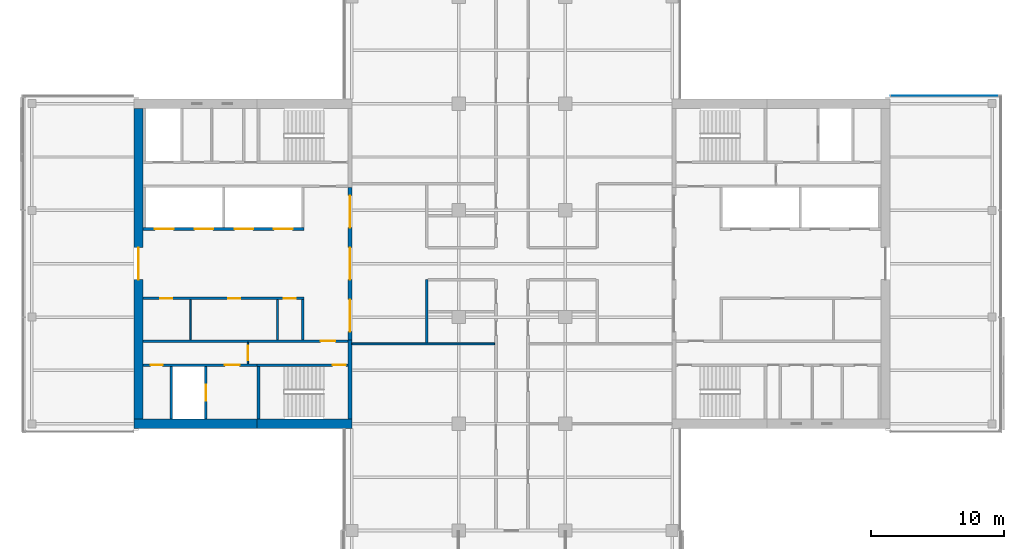
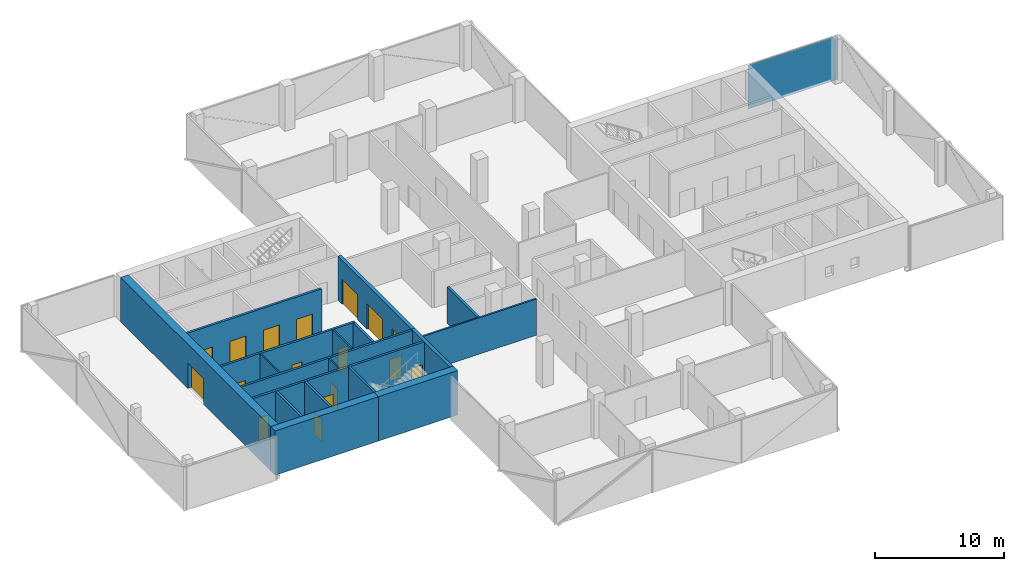
# One storey, part 13 of 22: 19 walls, 17 doors, 1 plate, 17 openings, 1 element without a shape of its own.
"""IFC4 building model written with IfcOpenShell, lengths in metres."""

from ifc_helpers import new_model, si_unit, direction, frame, frame_2d, origin, place, context, subcontext, project, spatial, polyline, rectangle, outline, extrude, material, layer, layer_set, constituent, constituent_set, type_object, element, fill, aggregate, save


model = new_model("IFC4")

# Units and contexts
model_context = context("Model", 3, precision=1e-05, world=origin(), true_north=direction((0.0, 1.0)))
body_context = subcontext(model_context, "Body", "Model", "MODEL_VIEW")
ifc_project = project(units=[si_unit("LENGTHUNIT", "METRE"), si_unit("AREAUNIT", "SQUARE_METRE"), si_unit("VOLUMEUNIT", "CUBIC_METRE"), si_unit("PLANEANGLEUNIT", "RADIAN"), si_unit("MASSUNIT", "GRAM", prefix="KILO")], contexts=[model_context])

# Site, building, storey
site_placement = place(None, origin())
site = spatial("IfcSite", under=ifc_project, at=site_placement, CompositionType="ELEMENT")
building_placement = place(site_placement, origin())
building = spatial("IfcBuilding", under=site, at=building_placement, Name="Crosswind Convention Tower", CompositionType="ELEMENT")
storey_placement = place(building_placement, frame((0.0, 0.0, 116.89990234375)))
storey = spatial("IfcBuildingStorey", under=building, at=storey_placement, Name="L23", CompositionType="ELEMENT", Elevation=116.89990234375)

# Curtain wall, plate
ifc_material_1 = material(Name="Aluminium unitised curtain wall", Category="aluminium")
curtain_wall_type = type_object("IfcCurtainWallType", Name="CORE END SLOT WALL 160", PredefinedType="USERDEFINED", material=ifc_material_1)
curtain_wall_placement = place(storey_placement, origin())
curtain_wall = element("IfcCurtainWall", 1, at=curtain_wall_placement, inside=storey, type_object=curtain_wall_type, Name="CW6 L23 E-N.1-1 slot", ObjectType="UNITISED", PredefinedType="USERDEFINED")
ifc_material_2 = material(Name="Laminated insulating glass unit", Category="glass")
ifc_layer_1 = layer(ifc_material_2, 0.02587890625)
ifc_layer_set_1 = layer_set([ifc_layer_1], Name="TRIANGULAR GLASS PANEL 26")
plate_type = type_object("IfcPlateType", Name="TRIANGULAR GLASS PANEL 26", PredefinedType="CURTAIN_PANEL", material=ifc_layer_set_1)
plate_placement = place(storey_placement, frame((161.449951171875, 112.60693359375, -0.2998046875), z_axis=(0.0, 0.999999915205, 0.00041181312), x_axis=(-1.0, 0.0, 0.0)))
plate = element("IfcPlate", 2, at=plate_placement, type_object=plate_type, Name="CW6 panel 1.1", PredefinedType="CURTAIN_PANEL", context=body_context, shape_type="SweptSolid", body=[
    extrude(outline(polyline([(0.0, 0.0), (8.050048828125, 0.0), (8.050048828125, 4.149902695641108), (0.0, 4.149902695641108), (0.0, 0.0)])), origin(), (0.0, 0.0, -1.0), 0.02587890625),
])
aggregate(curtain_wall, [plate])

# Wall
ifc_material_3 = material(Name="Concrete blockwork", Category="masonry")
ifc_layer_2 = layer(ifc_material_3, 0.199951171875)
ifc_layer_set_2 = layer_set([ifc_layer_2], Name="COMPARTMENT WALL 200 BLOCKWORK")
wall_type_1 = type_object("IfcWallType", Name="COMPARTMENT WALL 200 BLOCKWORK", PredefinedType="SOLIDWALL", material=ifc_layer_set_2)
wall_1_placement = place(storey_placement, frame((118.60009765625, 94.074951171875, 0.0), z_axis=(0.0, 0.0, 1.0), x_axis=(0.0, 1.0, 0.0)))
element("IfcWall", 3, at=wall_1_placement, inside=storey, type_object=wall_type_1, Name="Compartment wall WT42", PredefinedType="SOLIDWALL", context=body_context, shape_type="SweptSolid", body=[
    extrude(rectangle(XDim=4.72509765625, YDim=0.199951171875, at=frame_2d((2.362548828125, 0.0))), origin(), (0.0, 0.0, 1.0), 3.4365234375),
])

# Wall, opening, door
ifc_material_4 = material(Name="Concrete C60/75", Category="concrete")
ifc_layer_3 = layer(ifc_material_4, 0.699951171875)
ifc_layer_set_3 = layer_set([ifc_layer_3], Name="Concrete C60/75")
wall_type_2 = type_object("IfcWallType", Name="Concrete core wall 700", PredefinedType="SHEAR", material=ifc_layer_set_3)
wall_2_placement = place(storey_placement, frame((97.0, 111.64990234375, 0.0), z_axis=(0.0, 0.0, 1.0), x_axis=(0.0, -1.0, 0.0)))
wall_2 = element("IfcWall", 4, at=wall_2_placement, inside=storey, type_object=wall_type_2, Name="Wall O W L23", PredefinedType="SHEAR", context=body_context, shape_type="SweptSolid", body=[
    extrude(rectangle(XDim=23.2998046875, YDim=0.699951171875, at=frame_2d((11.64990234375, 0.0))), origin(), (0.0, 0.0, 1.0), 4.2001953125),
])
opening_1_placement = place(wall_2_placement, frame((10.449951171875, 0.0, 0.0)))
opening_1 = element("IfcOpeningElement", 5, at=opening_1_placement, cuts=wall_2, Name="Opening D100", PredefinedType="OPENING", context=body_context, shape_type="SweptSolid", body=[
    extrude(rectangle(XDim=2.39990234375, YDim=2.39990234375, at=frame_2d((1.199951171875, 1.199951171875))), frame((0.0, 0.35986328125, 0.0), z_axis=(0.0, -1.0, 0.0), x_axis=(1.0, 0.0, 0.0)), (0.0, 0.0, 1.0), 0.719970703125),
])
ifc_material_5 = material(Name="Steel fire door with glazed vision panels", Category="steel")
door_type_1 = type_object("IfcDoorType", Name="Fire-rated double door 2400x2400", OperationType="DOUBLE_DOOR_SINGLE_SWING", PredefinedType="DOOR", material=ifc_material_5)
door_1_placement = place(opening_1_placement, frame((2.39990234375, 0.0, 0.0), z_axis=(0.0, 0.0, 1.0), x_axis=(-1.0, 0.0, 0.0)))
door_1 = element("IfcDoor", 6, at=door_1_placement, inside=storey, type_object=door_type_1, Name="Lobby outer door L23", ObjectType="D100", OperationType="DOUBLE_DOOR_SINGLE_SWING", OverallHeight=2.39990234375, OverallWidth=2.39990234375, PredefinedType="DOOR", context=body_context, shape_type="SweptSolid", body=[
    extrude(rectangle(XDim=2.39990234375, YDim=2.39990234375, at=frame_2d((1.199951171875, 1.199951171875))), frame((0.0, 0.02490234375, 0.0), z_axis=(0.0, -1.0, 0.0), x_axis=(1.0, 0.0, 0.0)), (0.0, 0.0, 1.0), 0.050048828125),
])
fill(opening_1, door_1)

# Wall, openings, doors
ifc_material_6 = material(Name="Concrete C50/60", Category="concrete")
ifc_layer_4 = layer(ifc_material_6, 0.300048828125)
ifc_layer_set_4 = layer_set([ifc_layer_4], Name="Concrete C50/60")
wall_type_3 = type_object("IfcWallType", Name="Concrete inner core wall 300", PredefinedType="SHEAR", material=ifc_layer_set_4)
wall_3_placement = place(storey_placement, frame((112.85009765625, 105.699951171875, 0.0), z_axis=(0.0, 0.0, 1.0), x_axis=(0.0, -1.0, 0.0)))
wall_3 = element("IfcWall", 7, at=wall_3_placement, inside=storey, type_object=wall_type_3, Name="Wall SCR W L23", PredefinedType="SHEAR", context=body_context, shape_type="SweptSolid", body=[
    extrude(rectangle(XDim=11.39990234375, YDim=0.300048828125, at=frame_2d((5.699951171875, 0.0))), origin(), (0.0, 0.0, 1.0), 4.2001953125),
])
opening_2_placement = place(wall_3_placement, frame((0.60009765625, 0.0, 0.0)))
opening_2 = element("IfcOpeningElement", 8, at=opening_2_placement, cuts=wall_3, Name="Opening D100", PredefinedType="OPENING", context=body_context, shape_type="SweptSolid", body=[
    extrude(rectangle(XDim=2.39990234375, YDim=2.39990234375, at=frame_2d((1.199951171875, 1.199951171875))), frame((0.0, 0.159912109375, 0.0), z_axis=(0.0, -1.0, 0.0), x_axis=(1.0, 0.0, 0.0)), (0.0, 0.0, 1.0), 0.320068359375),
])
opening_3_placement = place(wall_3_placement, frame((4.5, 0.0, 0.0)))
opening_3 = element("IfcOpeningElement", 9, at=opening_3_placement, cuts=wall_3, Name="Opening D100", PredefinedType="OPENING", context=body_context, shape_type="SweptSolid", body=[
    extrude(rectangle(XDim=2.39990234375, YDim=2.39990234375, at=frame_2d((1.199951171875, 1.199951171875))), frame((0.0, 0.159912109375, 0.0), z_axis=(0.0, -1.0, 0.0), x_axis=(1.0, 0.0, 0.0)), (0.0, 0.0, 1.0), 0.320068359375),
])
opening_4_placement = place(wall_3_placement, frame((8.39990234375, 0.0, 0.0)))
opening_4 = element("IfcOpeningElement", 10, at=opening_4_placement, cuts=wall_3, Name="Opening D100", PredefinedType="OPENING", context=body_context, shape_type="SweptSolid", body=[
    extrude(rectangle(XDim=2.39990234375, YDim=2.39990234375, at=frame_2d((1.199951171875, 1.199951171875))), frame((0.0, 0.159912109375, 0.0), z_axis=(0.0, -1.0, 0.0), x_axis=(1.0, 0.0, 0.0)), (0.0, 0.0, 1.0), 0.320068359375),
])
door_2_placement = place(opening_2_placement, origin())
door_2 = element("IfcDoor", 11, at=door_2_placement, inside=storey, type_object=door_type_1, Name="Lobby door 1 L23", ObjectType="D100", OperationType="DOUBLE_DOOR_SINGLE_SWING", OverallHeight=2.39990234375, OverallWidth=2.39990234375, PredefinedType="DOOR", context=body_context, shape_type="SweptSolid", body=[
    extrude(rectangle(XDim=2.39990234375, YDim=2.39990234375, at=frame_2d((1.199951171875, 1.199951171875))), frame((0.0, 0.02490234375, 0.0), z_axis=(0.0, -1.0, 0.0), x_axis=(1.0, 0.0, 0.0)), (0.0, 0.0, 1.0), 0.050048828125),
])
fill(opening_2, door_2)
door_3_placement = place(opening_3_placement, origin())
door_3 = element("IfcDoor", 12, at=door_3_placement, inside=storey, type_object=door_type_1, Name="Lobby door 2 L23", ObjectType="D100", OperationType="DOUBLE_DOOR_SINGLE_SWING", OverallHeight=2.39990234375, OverallWidth=2.39990234375, PredefinedType="DOOR", context=body_context, shape_type="SweptSolid", body=[
    extrude(rectangle(XDim=2.39990234375, YDim=2.39990234375, at=frame_2d((1.199951171875, 1.199951171875))), frame((0.0, 0.02490234375, 0.0), z_axis=(0.0, -1.0, 0.0), x_axis=(1.0, 0.0, 0.0)), (0.0, 0.0, 1.0), 0.050048828125),
])
fill(opening_3, door_3)
door_4_placement = place(opening_4_placement, origin())
door_4 = element("IfcDoor", 13, at=door_4_placement, inside=storey, type_object=door_type_1, Name="Lobby door 3 L23", ObjectType="D100", OperationType="DOUBLE_DOOR_SINGLE_SWING", OverallHeight=2.39990234375, OverallWidth=2.39990234375, PredefinedType="DOOR", context=body_context, shape_type="SweptSolid", body=[
    extrude(rectangle(XDim=2.39990234375, YDim=2.39990234375, at=frame_2d((1.199951171875, 1.199951171875))), frame((0.0, 0.02490234375, 0.0), z_axis=(0.0, -1.0, 0.0), x_axis=(1.0, 0.0, 0.0)), (0.0, 0.0, 1.0), 0.050048828125),
])
fill(opening_4, door_4)

# Walls
wall_4_placement = place(storey_placement, frame((112.85009765625, 94.300048828125, 0.0), z_axis=(0.0, 0.0, 1.0), x_axis=(0.0, -1.0, 0.0)))
element("IfcWall", 14, at=wall_4_placement, inside=storey, type_object=wall_type_3, Name="Wall EP W L23", PredefinedType="SHEAR", context=body_context, shape_type="SweptSolid", body=[
    extrude(rectangle(XDim=5.949951171875, YDim=0.300048828125, at=frame_2d((2.97509765625, 0.0))), origin(), (0.0, 0.0, 1.0), 4.2001953125),
])
ifc_layer_5 = layer(ifc_material_6, 0.199951171875)
ifc_layer_set_5 = layer_set([ifc_layer_5], Name="Concrete C50/60")
wall_type_4 = type_object("IfcWallType", Name="Concrete shaft and stair wall 200", PredefinedType="SHEAR", material=ifc_layer_set_5)
wall_5_placement = place(storey_placement, frame((109.300048828125, 97.300048828125, 0.0), z_axis=(0.0, 0.0, 1.0), x_axis=(0.0, -1.0, 0.0)))
element("IfcWall", 15, at=wall_5_placement, inside=storey, type_object=wall_type_4, Name="Wall RPEND W L23", PredefinedType="SHEAR", context=body_context, shape_type="SweptSolid", body=[
    extrude(rectangle(XDim=3.0, YDim=0.199951171875, at=frame_2d((1.5, 0.0))), origin(), (0.0, 0.0, 1.0), 4.2001953125),
])

# Wall, openings, doors
wall_6_placement = place(storey_placement, frame((109.39990234375, 97.39990234375, 0.0), z_axis=(0.0, 0.0, 1.0), x_axis=(-1.0, 0.0, 0.0)))
wall_6 = element("IfcWall", 16, at=wall_6_placement, inside=storey, type_object=wall_type_4, Name="Wall RPFRONT W L23", PredefinedType="SHEAR", context=body_context, shape_type="SweptSolid", body=[
    extrude(rectangle(XDim=12.0498046875, YDim=0.199951171875, at=frame_2d((6.02490234375, 0.0))), origin(), (0.0, 0.0, 1.0), 4.2001953125),
])
opening_5_placement = place(wall_6_placement, frame((0.607421875, 0.0, 0.0)))
opening_5 = element("IfcOpeningElement", 17, at=opening_5_placement, cuts=wall_6, Name="Opening D106", PredefinedType="OPENING", context=body_context, shape_type="SweptSolid", body=[
    extrude(rectangle(XDim=0.89990234375, YDim=2.10009765625, at=frame_2d((0.449951171875, 1.050048828125))), frame((0.0, 0.10986328125, 0.0), z_axis=(0.0, -1.0, 0.0), x_axis=(1.0, 0.0, 0.0)), (0.0, 0.0, 1.0), 0.219970703125),
])
opening_6_placement = place(wall_6_placement, frame((4.7861328125, 0.0, 0.0)))
opening_6 = element("IfcOpeningElement", 18, at=opening_6_placement, cuts=wall_6, Name="Opening D106", PredefinedType="OPENING", context=body_context, shape_type="SweptSolid", body=[
    extrude(rectangle(XDim=0.89990234375, YDim=2.10009765625, at=frame_2d((0.449951171875, 1.050048828125))), frame((0.0, 0.10986328125, 0.0), z_axis=(0.0, -1.0, 0.0), x_axis=(1.0, 0.0, 0.0)), (0.0, 0.0, 1.0), 0.219970703125),
])
opening_7_placement = place(wall_6_placement, frame((9.853759765625, 0.0, 0.0)))
opening_7 = element("IfcOpeningElement", 19, at=opening_7_placement, cuts=wall_6, Name="Opening D106", PredefinedType="OPENING", context=body_context, shape_type="SweptSolid", body=[
    extrude(rectangle(XDim=0.89990234375, YDim=2.10009765625, at=frame_2d((0.449951171875, 1.050048828125))), frame((0.0, 0.10986328125, 0.0), z_axis=(0.0, -1.0, 0.0), x_axis=(1.0, 0.0, 0.0)), (0.0, 0.0, 1.0), 0.219970703125),
])
ifc_material_7 = material(Name="Timber door", Category="wood")
door_type_2 = type_object("IfcDoorType", Name="Single leaf door 900x2100", OperationType="NOTDEFINED", PredefinedType="DOOR", material=ifc_material_7)
door_5_placement = place(opening_5_placement, origin())
door_5 = element("IfcDoor", 20, at=door_5_placement, inside=storey, type_object=door_type_2, Name="Door to telecoms room L23", ObjectType="D106", OperationType="SINGLE_SWING_RIGHT", OverallHeight=2.10009765625, OverallWidth=0.89990234375, PredefinedType="DOOR", context=body_context, shape_type="SweptSolid", body=[
    extrude(rectangle(XDim=0.89990234375, YDim=2.10009765625, at=frame_2d((0.449951171875, 1.050048828125))), frame((0.0, 0.02490234375, 0.0), z_axis=(0.0, -1.0, 0.0), x_axis=(1.0, 0.0, 0.0)), (0.0, 0.0, 1.0), 0.050048828125),
])
fill(opening_5, door_5)
door_6_placement = place(opening_6_placement, origin())
door_6 = element("IfcDoor", 21, at=door_6_placement, inside=storey, type_object=door_type_2, Name="Door to storeroom L23", ObjectType="D106", OperationType="SINGLE_SWING_RIGHT", OverallHeight=2.10009765625, OverallWidth=0.89990234375, PredefinedType="DOOR", context=body_context, shape_type="SweptSolid", body=[
    extrude(rectangle(XDim=0.89990234375, YDim=2.10009765625, at=frame_2d((0.449951171875, 1.050048828125))), frame((0.0, 0.02490234375, 0.0), z_axis=(0.0, -1.0, 0.0), x_axis=(1.0, 0.0, 0.0)), (0.0, 0.0, 1.0), 0.050048828125),
])
fill(opening_6, door_6)
door_7_placement = place(opening_7_placement, origin())
door_7 = element("IfcDoor", 22, at=door_7_placement, inside=storey, type_object=door_type_2, Name="Door to tenant services room L23", ObjectType="D106", OperationType="SINGLE_SWING_RIGHT", OverallHeight=2.10009765625, OverallWidth=0.89990234375, PredefinedType="DOOR", context=body_context, shape_type="SweptSolid", body=[
    extrude(rectangle(XDim=0.89990234375, YDim=2.10009765625, at=frame_2d((0.449951171875, 1.050048828125))), frame((0.0, 0.02490234375, 0.0), z_axis=(0.0, -1.0, 0.0), x_axis=(1.0, 0.0, 0.0)), (0.0, 0.0, 1.0), 0.050048828125),
])
fill(opening_7, door_7)

wall_7_placement = place(storey_placement, frame((109.39990234375, 102.60009765625, 0.0), z_axis=(0.0, 0.0, 1.0), x_axis=(-1.0, 0.0, 0.0)))
wall_7 = element("IfcWall", 23, at=wall_7_placement, inside=storey, type_object=wall_type_4, Name="Wall RMFRONT W L23", PredefinedType="SHEAR", context=body_context, shape_type="SweptSolid", body=[
    extrude(rectangle(XDim=12.0498046875, YDim=0.199951171875, at=frame_2d((6.02490234375, 0.0))), origin(), (0.0, 0.0, 1.0), 4.2001953125),
])
opening_8_placement = place(wall_7_placement, frame((0.85009765625, 0.0, 0.0)))
opening_8 = element("IfcOpeningElement", 24, at=opening_8_placement, cuts=wall_7, Name="Opening LD2", PredefinedType="OPENING", context=body_context, shape_type="SweptSolid", body=[
    extrude(rectangle(XDim=1.39990234375, YDim=2.10009765625, at=frame_2d((0.699951171875, 1.050048828125))), frame((0.0, 0.10986328125, 0.0), z_axis=(0.0, -1.0, 0.0), x_axis=(1.0, 0.0, 0.0)), (0.0, 0.0, 1.0), 0.219970703125),
])
opening_9_placement = place(wall_7_placement, frame((3.800048828125, 0.0, 0.0)))
opening_9 = element("IfcOpeningElement", 25, at=opening_9_placement, cuts=wall_7, Name="Opening LD2", PredefinedType="OPENING", context=body_context, shape_type="SweptSolid", body=[
    extrude(rectangle(XDim=1.39990234375, YDim=2.10009765625, at=frame_2d((0.699951171875, 1.050048828125))), frame((0.0, 0.10986328125, 0.0), z_axis=(0.0, -1.0, 0.0), x_axis=(1.0, 0.0, 0.0)), (0.0, 0.0, 1.0), 0.219970703125),
])
opening_10_placement = place(wall_7_placement, frame((6.800048828125, 0.0, 0.0)))
opening_10 = element("IfcOpeningElement", 26, at=opening_10_placement, cuts=wall_7, Name="Opening LD2", PredefinedType="OPENING", context=body_context, shape_type="SweptSolid", body=[
    extrude(rectangle(XDim=1.39990234375, YDim=2.10009765625, at=frame_2d((0.699951171875, 1.050048828125))), frame((0.0, 0.10986328125, 0.0), z_axis=(0.0, -1.0, 0.0), x_axis=(1.0, 0.0, 0.0)), (0.0, 0.0, 1.0), 0.219970703125),
])
opening_11_placement = place(wall_7_placement, frame((9.77490234375, 0.0, 0.0)))
opening_11 = element("IfcOpeningElement", 27, at=opening_11_placement, cuts=wall_7, Name="Opening LD2", PredefinedType="OPENING", context=body_context, shape_type="SweptSolid", body=[
    extrude(rectangle(XDim=1.39990234375, YDim=2.10009765625, at=frame_2d((0.699951171875, 1.050048828125))), frame((0.0, 0.10986328125, 0.0), z_axis=(0.0, -1.0, 0.0), x_axis=(1.0, 0.0, 0.0)), (0.0, 0.0, 1.0), 0.219970703125),
])
ifc_material_8 = material(Name="Stainless steel", Category="steel")
door_type_3 = type_object("IfcDoorType", Name="Lift landing door 1400x2100", OperationType="DOUBLE_DOOR_SLIDING", PredefinedType="DOOR", material=ifc_material_8)
door_8_placement = place(opening_8_placement, origin())
door_8 = element("IfcDoor", 28, at=door_8_placement, inside=storey, type_object=door_type_3, Name="Landing door A5 L23", ObjectType="LD2", OperationType="DOUBLE_DOOR_SLIDING", OverallHeight=2.10009765625, OverallWidth=1.39990234375, PredefinedType="DOOR", context=body_context, shape_type="SweptSolid", body=[
    extrude(rectangle(XDim=1.39990234375, YDim=2.10009765625, at=frame_2d((0.699951171875, 1.050048828125))), frame((0.0, 0.02490234375, 0.0), z_axis=(0.0, -1.0, 0.0), x_axis=(1.0, 0.0, 0.0)), (0.0, 0.0, 1.0), 0.050048828125),
])
fill(opening_8, door_8)
door_9_placement = place(opening_9_placement, origin())
door_9 = element("IfcDoor", 29, at=door_9_placement, inside=storey, type_object=door_type_3, Name="Landing door A6 L23", ObjectType="LD2", OperationType="DOUBLE_DOOR_SLIDING", OverallHeight=2.10009765625, OverallWidth=1.39990234375, PredefinedType="DOOR", context=body_context, shape_type="SweptSolid", body=[
    extrude(rectangle(XDim=1.39990234375, YDim=2.10009765625, at=frame_2d((0.699951171875, 1.050048828125))), frame((0.0, 0.02490234375, 0.0), z_axis=(0.0, -1.0, 0.0), x_axis=(1.0, 0.0, 0.0)), (0.0, 0.0, 1.0), 0.050048828125),
])
fill(opening_9, door_9)
door_10_placement = place(opening_10_placement, origin())
door_10 = element("IfcDoor", 30, at=door_10_placement, inside=storey, type_object=door_type_3, Name="Landing door A7 L23", ObjectType="LD2", OperationType="DOUBLE_DOOR_SLIDING", OverallHeight=2.10009765625, OverallWidth=1.39990234375, PredefinedType="DOOR", context=body_context, shape_type="SweptSolid", body=[
    extrude(rectangle(XDim=1.39990234375, YDim=2.10009765625, at=frame_2d((0.699951171875, 1.050048828125))), frame((0.0, 0.02490234375, 0.0), z_axis=(0.0, -1.0, 0.0), x_axis=(1.0, 0.0, 0.0)), (0.0, 0.0, 1.0), 0.050048828125),
])
fill(opening_10, door_10)
door_11_placement = place(opening_11_placement, origin())
door_11 = element("IfcDoor", 31, at=door_11_placement, inside=storey, type_object=door_type_3, Name="Landing door A8 L23", ObjectType="LD2", OperationType="DOUBLE_DOOR_SLIDING", OverallHeight=2.10009765625, OverallWidth=1.39990234375, PredefinedType="DOOR", context=body_context, shape_type="SweptSolid", body=[
    extrude(rectangle(XDim=1.39990234375, YDim=2.10009765625, at=frame_2d((0.699951171875, 1.050048828125))), frame((0.0, 0.02490234375, 0.0), z_axis=(0.0, -1.0, 0.0), x_axis=(1.0, 0.0, 0.0)), (0.0, 0.0, 1.0), 0.050048828125),
])
fill(opening_11, door_11)

# Wall, opening, door
wall_8_placement = place(storey_placement, frame((112.699951171875, 94.199951171875, 0.0), z_axis=(0.0, 0.0, 1.0), x_axis=(-1.0, 0.0, 0.0)))
wall_8 = element("IfcWall", 32, at=wall_8_placement, inside=storey, type_object=wall_type_4, Name="Wall HP W L23", PredefinedType="SHEAR", context=body_context, shape_type="SweptSolid", body=[
    extrude(rectangle(XDim=15.349853515625, YDim=0.199951171875, at=frame_2d((7.6748046875, 0.0))), origin(), (0.0, 0.0, 1.0), 4.2001953125),
])
opening_12_placement = place(wall_8_placement, frame((0.949951171875, 0.0, 0.0)))
opening_12 = element("IfcOpeningElement", 33, at=opening_12_placement, cuts=wall_8, Name="Opening D104", PredefinedType="OPENING", context=body_context, shape_type="SweptSolid", body=[
    extrude(rectangle(XDim=1.10009765625, YDim=2.10009765625, at=frame_2d((0.550048828125, 1.050048828125))), frame((0.0, 0.10986328125, 0.0), z_axis=(0.0, -1.0, 0.0), x_axis=(1.0, 0.0, 0.0)), (0.0, 0.0, 1.0), 0.219970703125),
])
ifc_material_9 = material(Name="Steel fire door", Category="steel")
door_type_4 = type_object("IfcDoorType", Name="Fire-rated single door 1100x2100", OperationType="NOTDEFINED", PredefinedType="DOOR", material=ifc_material_9)
door_12_placement = place(opening_12_placement, origin())
door_12 = element("IfcDoor", 34, at=door_12_placement, inside=storey, type_object=door_type_4, Name="Corridor door L23", ObjectType="D104", OperationType="SINGLE_SWING_LEFT", OverallHeight=2.10009765625, OverallWidth=1.10009765625, PredefinedType="DOOR", context=body_context, shape_type="SweptSolid", body=[
    extrude(rectangle(XDim=1.10009765625, YDim=2.10009765625, at=frame_2d((0.550048828125, 1.050048828125))), frame((0.0, 0.02490234375, 0.0), z_axis=(0.0, -1.0, 0.0), x_axis=(1.0, 0.0, 0.0)), (0.0, 0.0, 1.0), 0.050048828125),
])
fill(opening_12, door_12)

# Wall
wall_9_placement = place(storey_placement, frame((106.0, 92.300048828125, 0.0), z_axis=(0.0, 0.0, 1.0), x_axis=(0.0, -1.0, 0.0)))
element("IfcWall", 35, at=wall_9_placement, inside=storey, type_object=wall_type_4, Name="Wall PSE W L23", PredefinedType="SHEAR", context=body_context, shape_type="SweptSolid", body=[
    extrude(rectangle(XDim=3.949951171875, YDim=0.199951171875, at=frame_2d((1.97509765625, 0.0))), origin(), (0.0, 0.0, 1.0), 4.2001953125),
])

# Wall, opening, door
wall_10_placement = place(storey_placement, frame((102.050048828125, 92.300048828125, 0.0), z_axis=(0.0, 0.0, 1.0), x_axis=(0.0, -1.0, 0.0)))
wall_10 = element("IfcWall", 36, at=wall_10_placement, inside=storey, type_object=wall_type_4, Name="Wall PFLW W L23", PredefinedType="SHEAR", context=body_context, shape_type="SweptSolid", body=[
    extrude(rectangle(XDim=3.949951171875, YDim=0.199951171875, at=frame_2d((1.97509765625, 0.0))), origin(), (0.0, 0.0, 1.0), 4.2001953125),
])
opening_13_placement = place(wall_10_placement, frame((1.375, 0.0, 0.0)))
opening_13 = element("IfcOpeningElement", 37, at=opening_13_placement, cuts=wall_10, Name="Opening LD1", PredefinedType="OPENING", context=body_context, shape_type="SweptSolid", body=[
    extrude(rectangle(XDim=1.199951171875, YDim=2.10009765625, at=frame_2d((0.60009765625, 1.050048828125))), frame((0.0, 0.10986328125, 0.0), z_axis=(0.0, -1.0, 0.0), x_axis=(1.0, 0.0, 0.0)), (0.0, 0.0, 1.0), 0.219970703125),
])
door_type_5 = type_object("IfcDoorType", Name="Lift landing door 1200x2100", OperationType="DOUBLE_DOOR_SLIDING", PredefinedType="DOOR", material=ifc_material_8)
door_13_placement = place(opening_13_placement, origin())
door_13 = element("IfcDoor", 38, at=door_13_placement, inside=storey, type_object=door_type_5, Name="Landing door FF2 L23", ObjectType="LD1", OperationType="DOUBLE_DOOR_SLIDING", OverallHeight=2.10009765625, OverallWidth=1.199951171875, PredefinedType="DOOR", context=body_context, shape_type="SweptSolid", body=[
    extrude(rectangle(XDim=1.199951171875, YDim=2.10009765625, at=frame_2d((0.60009765625, 1.050048828125))), frame((0.0, 0.02490234375, 0.0), z_axis=(0.0, -1.0, 0.0), x_axis=(1.0, 0.0, 0.0)), (0.0, 0.0, 1.0), 0.050048828125),
])
fill(opening_13, door_13)

# Wall
wall_11_placement = place(storey_placement, frame((99.449951171875, 92.300048828125, 0.0), z_axis=(0.0, 0.0, 1.0), x_axis=(0.0, -1.0, 0.0)))
element("IfcWall", 39, at=wall_11_placement, inside=storey, type_object=wall_type_4, Name="Wall PFSE W L23", PredefinedType="SHEAR", context=body_context, shape_type="SweptSolid", body=[
    extrude(rectangle(XDim=3.949951171875, YDim=0.199951171875, at=frame_2d((1.97509765625, 0.0))), origin(), (0.0, 0.0, 1.0), 4.2001953125),
])

# Wall, opening, door
wall_12_placement = place(storey_placement, frame((112.699951171875, 92.39990234375, 0.0), z_axis=(0.0, 0.0, 1.0), x_axis=(-1.0, 0.0, 0.0)))
wall_12 = element("IfcWall", 40, at=wall_12_placement, inside=storey, type_object=wall_type_4, Name="Wall PCW W L23", PredefinedType="SHEAR", context=body_context, shape_type="SweptSolid", body=[
    extrude(rectangle(XDim=6.800048828125, YDim=0.199951171875, at=frame_2d((3.39990234375, 0.0))), origin(), (0.0, 0.0, 1.0), 4.2001953125),
])
opening_14_placement = place(wall_12_placement, frame((0.14990234375, 0.0, 0.0)))
opening_14 = element("IfcOpeningElement", 41, at=opening_14_placement, cuts=wall_12, Name="Opening D103", PredefinedType="OPENING", context=body_context, shape_type="SweptSolid", body=[
    extrude(rectangle(XDim=1.0, YDim=2.10009765625, at=frame_2d((0.5, 1.050048828125))), frame((0.0, 0.10986328125, 0.0), z_axis=(0.0, -1.0, 0.0), x_axis=(1.0, 0.0, 0.0)), (0.0, 0.0, 1.0), 0.219970703125),
])
door_type_6 = type_object("IfcDoorType", Name="Fire-rated single door 1000x2100", OperationType="NOTDEFINED", PredefinedType="DOOR", material=ifc_material_9)
door_14_placement = place(opening_14_placement, origin())
door_14 = element("IfcDoor", 42, at=door_14_placement, inside=storey, type_object=door_type_6, Name="Stair ST3 door L23", ObjectType="D103", OperationType="SINGLE_SWING_LEFT", OverallHeight=2.10009765625, OverallWidth=1.0, PredefinedType="DOOR", context=body_context, shape_type="SweptSolid", body=[
    extrude(rectangle(XDim=1.0, YDim=2.10009765625, at=frame_2d((0.5, 1.050048828125))), frame((0.0, 0.02490234375, 0.0), z_axis=(0.0, -1.0, 0.0), x_axis=(1.0, 0.0, 0.0)), (0.0, 0.0, 1.0), 0.050048828125),
])
fill(opening_14, door_14)

# Wall, openings, doors
wall_13_placement = place(storey_placement, frame((105.89990234375, 92.39990234375, 0.0), z_axis=(0.0, 0.0, 1.0), x_axis=(-1.0, 0.0, 0.0)))
wall_13 = element("IfcWall", 43, at=wall_13_placement, inside=storey, type_object=wall_type_4, Name="Wall PCX W L23", PredefinedType="SHEAR", context=body_context, shape_type="SweptSolid", body=[
    extrude(rectangle(XDim=8.5498046875, YDim=0.199951171875, at=frame_2d((4.27490234375, 0.0))), origin(), (0.0, 0.0, 1.0), 4.2001953125),
])
opening_15_placement = place(wall_13_placement, frame((1.324951171875, 0.0, 0.0)))
opening_15 = element("IfcOpeningElement", 44, at=opening_15_placement, cuts=wall_13, Name="Opening D104", PredefinedType="OPENING", context=body_context, shape_type="SweptSolid", body=[
    extrude(rectangle(XDim=1.10009765625, YDim=2.10009765625, at=frame_2d((0.550048828125, 1.050048828125))), frame((0.0, 0.10986328125, 0.0), z_axis=(0.0, -1.0, 0.0), x_axis=(1.0, 0.0, 0.0)), (0.0, 0.0, 1.0), 0.219970703125),
])
opening_16_placement = place(wall_13_placement, frame((7.10009765625, 0.0, 0.0)))
opening_16 = element("IfcOpeningElement", 45, at=opening_16_placement, cuts=wall_13, Name="Opening D106", PredefinedType="OPENING", context=body_context, shape_type="SweptSolid", body=[
    extrude(rectangle(XDim=0.89990234375, YDim=2.10009765625, at=frame_2d((0.449951171875, 1.050048828125))), frame((0.0, 0.10986328125, 0.0), z_axis=(0.0, -1.0, 0.0), x_axis=(1.0, 0.0, 0.0)), (0.0, 0.0, 1.0), 0.219970703125),
])
door_15_placement = place(opening_15_placement, origin())
door_15 = element("IfcDoor", 46, at=door_15_placement, inside=storey, type_object=door_type_4, Name="Fire-fighting lobby FF2 door L23", ObjectType="D104", OperationType="SINGLE_SWING_RIGHT", OverallHeight=2.10009765625, OverallWidth=1.10009765625, PredefinedType="DOOR", context=body_context, shape_type="SweptSolid", body=[
    extrude(rectangle(XDim=1.10009765625, YDim=2.10009765625, at=frame_2d((0.550048828125, 1.050048828125))), frame((0.0, 0.02490234375, 0.0), z_axis=(0.0, -1.0, 0.0), x_axis=(1.0, 0.0, 0.0)), (0.0, 0.0, 1.0), 0.050048828125),
])
fill(opening_15, door_15)
door_16_placement = place(opening_16_placement, origin())
door_16 = element("IfcDoor", 47, at=door_16_placement, inside=storey, type_object=door_type_2, Name="Door to electrical room L23", ObjectType="D106", OperationType="SINGLE_SWING_RIGHT", OverallHeight=2.10009765625, OverallWidth=0.89990234375, PredefinedType="DOOR", context=body_context, shape_type="SweptSolid", body=[
    extrude(rectangle(XDim=0.89990234375, YDim=2.10009765625, at=frame_2d((0.449951171875, 1.050048828125))), frame((0.0, 0.02490234375, 0.0), z_axis=(0.0, -1.0, 0.0), x_axis=(1.0, 0.0, 0.0)), (0.0, 0.0, 1.0), 0.050048828125),
])
fill(opening_16, door_16)

# Walls
ifc_material_10 = material(Name="Gypsum plasterboard partition", Category="gypsum")
ifc_layer_6 = layer(ifc_material_10, 0.125)
ifc_layer_set_6 = layer_set([ifc_layer_6], Name="Drywall partition wall 125")
wall_type_5 = type_object("IfcWallType", Name="Drywall partition wall 125", PredefinedType="PARTITIONING", material=ifc_layer_set_6)
for number, where, z_axis, x_axis, name in (
    (48, (107.422607421875, 97.300048828125, 0.0), (0.0, 0.0, 1.0), (0.0, -1.0, 0.0), "Wall RPP1 W L23"),
    (49, (100.905029296875, 97.300048828125, 0.0), (0.0, 0.0, 1.0), (0.0, -1.0, 0.0), "Wall RPP2 W L23"),
):
    element("IfcWall", number, at=place(storey_placement, frame(where, z_axis=z_axis, x_axis=x_axis)), inside=storey, type_object=wall_type_5, Name=name, PredefinedType="PARTITIONING", context=body_context, shape_type="SweptSolid", body=[
        extrude(rectangle(XDim=3.0, YDim=0.125, at=frame_2d((1.5, 0.0))), origin(), (0.0, 0.0, 1.0), 4.2001953125),
    ])

# Wall, opening, door
wall_14_placement = place(storey_placement, frame((105.199951171875, 94.10009765625, 0.0), z_axis=(0.0, 0.0, 1.0), x_axis=(0.0, -1.0, 0.0)))
wall_14 = element("IfcWall", 50, at=wall_14_placement, inside=storey, type_object=wall_type_5, Name="Wall PXC1 W L23", PredefinedType="PARTITIONING", context=body_context, shape_type="SweptSolid", body=[
    extrude(rectangle(XDim=1.60009765625, YDim=0.125, at=frame_2d((0.800048828125, 0.0))), origin(), (0.0, 0.0, 1.0), 4.2001953125),
])
opening_17_placement = place(wall_14_placement, frame((0.25, 0.0, 0.0)))
opening_17 = element("IfcOpeningElement", 51, at=opening_17_placement, cuts=wall_14, Name="Opening D104", PredefinedType="OPENING", context=body_context, shape_type="SweptSolid", body=[
    extrude(rectangle(XDim=1.10009765625, YDim=2.10009765625, at=frame_2d((0.550048828125, 1.050048828125))), frame((0.0, 0.072509765625, 0.0), z_axis=(0.0, -1.0, 0.0), x_axis=(1.0, 0.0, 0.0)), (0.0, 0.0, 1.0), 0.14501953125),
])
door_17_placement = place(opening_17_placement, origin())
door_17 = element("IfcDoor", 52, at=door_17_placement, inside=storey, type_object=door_type_4, Name="Corridor smoke door L23", ObjectType="D104", OperationType="SINGLE_SWING_RIGHT", OverallHeight=2.10009765625, OverallWidth=1.10009765625, PredefinedType="DOOR", context=body_context, shape_type="SweptSolid", body=[
    extrude(rectangle(XDim=1.10009765625, YDim=2.10009765625, at=frame_2d((0.550048828125, 1.050048828125))), frame((0.0, 0.02490234375, 0.0), z_axis=(0.0, -1.0, 0.0), x_axis=(1.0, 0.0, 0.0)), (0.0, 0.0, 1.0), 0.050048828125),
])
fill(opening_17, door_17)

# Walls
ifc_material_11 = material(Name="Fire-board partition with mineral wool", Category="gypsum")
ifc_layer_7 = layer(ifc_material_11, 0.14990234375)
ifc_layer_set_7 = layer_set([ifc_layer_7], Name="TENANCY WALL 150 TWO-HOUR BOARD")
wall_type_6 = type_object("IfcWallType", Name="TENANCY WALL 150 TWO-HOUR BOARD", PredefinedType="PARTITIONING", material=ifc_layer_set_7)
wall_15_placement = place(storey_placement, frame((113.0, 94.0, 0.0), z_axis=(0.0, 0.0, 1.0), x_axis=(1.0, 0.0, 0.0)))
element("IfcWall", 53, at=wall_15_placement, inside=storey, type_object=wall_type_6, Name="Tenancy wall WT41", PredefinedType="PARTITIONING", context=body_context, shape_type="SweptSolid", body=[
    extrude(rectangle(XDim=10.699951171875, YDim=0.14990234375, at=frame_2d((5.35009765625, 0.0))), origin(), (0.0, 0.0, 1.0), 3.4365234375),
])
ifc_constituent_1 = constituent(ifc_material_4, Name="Structure")
ifc_material_12 = material(Name="Terracotta rainscreen", Category="ceramic")
ifc_constituent_2 = constituent(ifc_material_12, Name="Facing")
ifc_constituent_set = constituent_set(constituents=[ifc_constituent_1, ifc_constituent_2], Name="Concrete C60/75, Terracotta rainscreen")
wall_type_7 = type_object("IfcWallType", Name="Terracotta rainscreen on concrete core wall 700", PredefinedType="SHEAR", material=ifc_constituent_set)
wall_16_placement = place(storey_placement, frame((113.0, 88.0, 0.0), z_axis=(0.0, 0.0, 1.0), x_axis=(-1.0, 0.0, 0.0)))
element("IfcWall", 54, at=wall_16_placement, inside=storey, type_object=wall_type_7, Name="Wall N1 W L23", PredefinedType="SHEAR", context=body_context, shape_type="SweptSolid", body=[
    extrude(rectangle(XDim=7.10009765625, YDim=0.699951171875, at=frame_2d((3.550048828125, 0.0))), origin(), (0.0, 0.0, 1.0), 4.2001953125),
])
wall_17_placement = place(storey_placement, frame((105.89990234375, 88.0, 0.0), z_axis=(0.0, 0.0, 1.0), x_axis=(-1.0, 0.0, 0.0)))
element("IfcWall", 55, at=wall_17_placement, inside=storey, type_object=wall_type_7, Name="Wall N2 W L23", PredefinedType="SHEAR", context=body_context, shape_type="SweptSolid", body=[
    extrude(rectangle(XDim=9.25, YDim=0.699951171875, at=frame_2d((4.625, 0.0))), origin(), (0.0, 0.0, 1.0), 4.2001953125),
])

save(model, "model.ifc")
